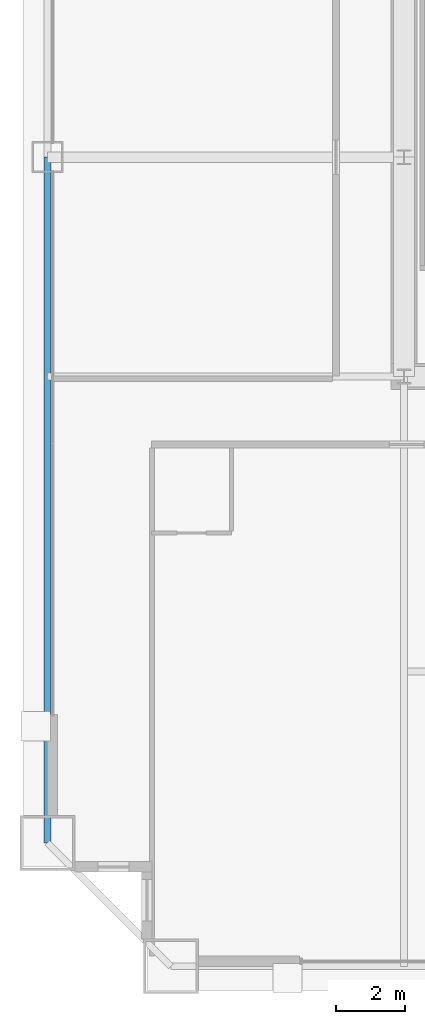
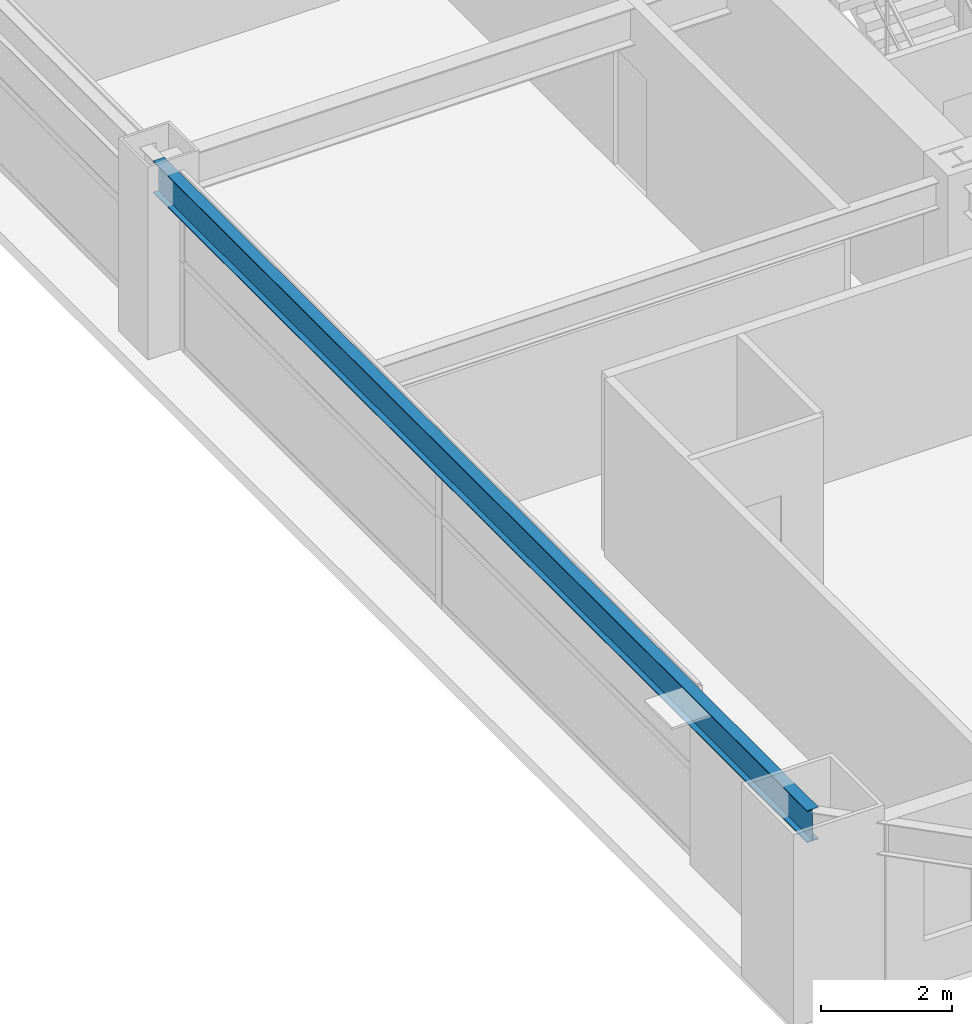
# One storey, part 6 of 38: 1 beam.
"""IFC4 building model written with IfcOpenShell, lengths in metres."""

from ifc_helpers import new_model, si_unit, direction, frame, origin, origin_2d, place, context, subcontext, project, spatial, i_section, extrude, source, transform, mapped, material, material_profile, profile_set, type_object, element, save


model = new_model("IFC4")

# Units and contexts
model_context = context("Model", 3, precision=1e-05, world=origin(), true_north=direction((0.0, 1.0)))
body_context = subcontext(model_context, "Body", "Model", "MODEL_VIEW")
ifc_project = project(units=[si_unit("LENGTHUNIT", "METRE"), si_unit("AREAUNIT", "SQUARE_METRE"), si_unit("VOLUMEUNIT", "CUBIC_METRE"), si_unit("PLANEANGLEUNIT", "RADIAN"), si_unit("MASSUNIT", "GRAM", prefix="KILO"), si_unit("THERMODYNAMICTEMPERATUREUNIT", "KELVIN"), si_unit("POWERUNIT", "WATT")], contexts=[model_context])

# Site, building, storey
site_placement = place(None, origin())
site = spatial("IfcSite", under=ifc_project, at=site_placement, CompositionType="ELEMENT")
building_placement = place(site_placement, origin())
building = spatial("IfcBuilding", under=site, at=building_placement, Name="Yuzanri Waterfront Tower", CompositionType="ELEMENT")
storey_placement = place(building_placement, frame((0.0, 0.0, 126.199951171875)))
storey = spatial("IfcBuildingStorey", under=building, at=storey_placement, Name="L33", CompositionType="ELEMENT", Elevation=126.199951171875)

# Beam
ifc_material = material(Name="Steel Q355B", Category="steel")
ifc_material_profile = material_profile(ifc_material, i_section(OverallWidth=0.199951171875, OverallDepth=0.60009765625, WebThickness=0.010986328125, FlangeThickness=0.01708984375, at=origin_2d()), Name="HN 600x200x11x17")
ifc_profile_set = profile_set([ifc_material_profile], Name="Steel Q355B")
beam_type = type_object("IfcBeamType", Name="Perimeter Spandrel Q355B HN 600x200", PredefinedType="SPANDREL", material=ifc_profile_set)
shared_shape = source(origin(), body_context, "Body", "SweptSolid", [
    extrude(i_section(OverallWidth=0.199951171875, OverallDepth=0.60009765625, WebThickness=0.010986328125, FlangeThickness=0.01708984375, at=origin_2d()), origin(), (0.0, 0.0, 1.0), 20.0),
])
beam_placement = place(storey_placement, frame((13.39990234375, 25.800048828125, 3.02001953125), z_axis=(0.0, -1.0, 0.0), x_axis=(1.0, 0.0, 0.0)))
element("IfcBeam", 1, at=beam_placement, inside=storey, type_object=beam_type, Name="L33 Perimeter Spandrel W2-W1", PredefinedType="SPANDREL", context=body_context, shape_type="MappedRepresentation", body=[
    mapped(shared_shape, transform((0.0, 0.0, 0.0), scale=1.0)),
])

save(model, "model.ifc")
